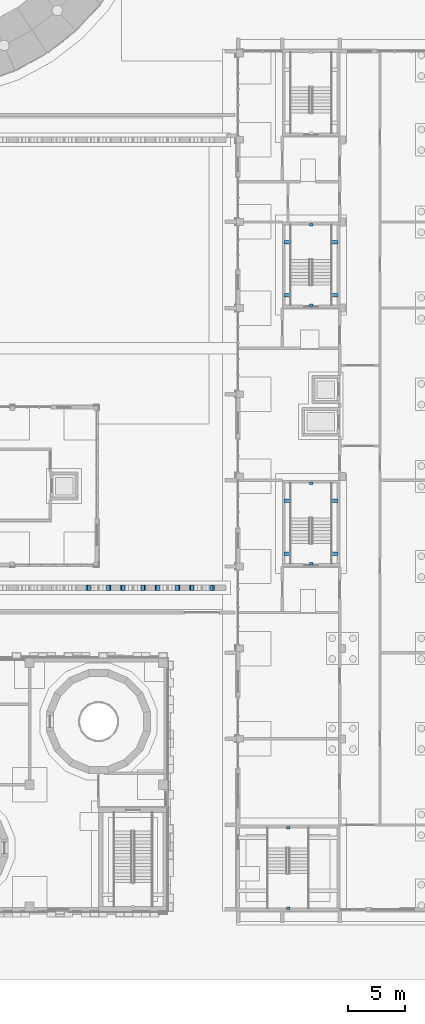
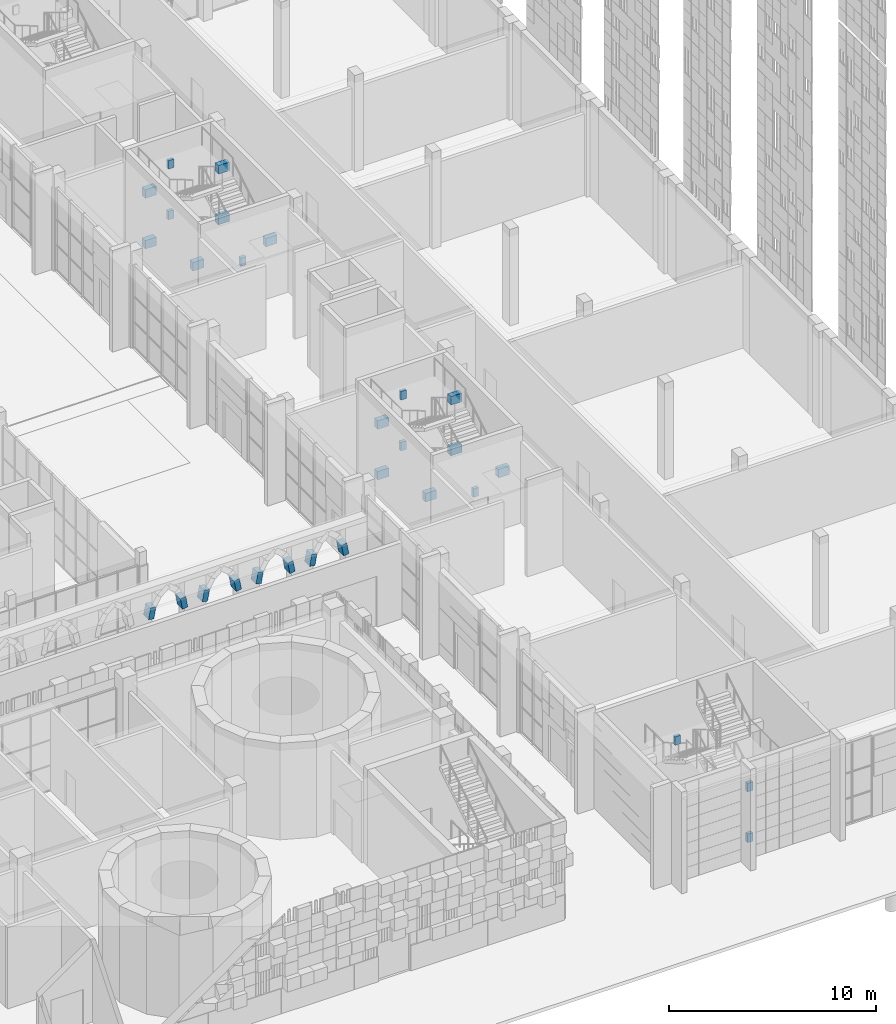
# One storey, part 38 of 125: 21 beams, 8 members.
"""IFC4 building model written with IfcOpenShell, lengths in metres."""

from ifc_helpers import new_model, si_unit, direction, frame, origin, origin_2d, place, context, subcontext, project, spatial, rectangle, extrude, material, material_profile, profile_set, type_object, element, save


model = new_model("IFC4")

# Units and contexts
model_context = context("Model", 3, precision=1e-05, world=origin(), true_north=direction((0.0, 1.0)))
body_context = subcontext(model_context, "Body", "Model", "MODEL_VIEW")
ifc_project = project(units=[si_unit("LENGTHUNIT", "METRE"), si_unit("AREAUNIT", "SQUARE_METRE"), si_unit("VOLUMEUNIT", "CUBIC_METRE"), si_unit("PLANEANGLEUNIT", "RADIAN"), si_unit("MASSUNIT", "GRAM", prefix="KILO")], contexts=[model_context])

# Site, building, storey
site_placement = place(None, origin())
site = spatial("IfcSite", under=ifc_project, at=site_placement, CompositionType="ELEMENT")
building_placement = place(site_placement, origin())
building = spatial("IfcBuilding", under=site, at=building_placement, Name="Sun Court Science Centre", CompositionType="ELEMENT")
storey_placement = place(building_placement, origin())
storey = spatial("IfcBuildingStorey", under=building, at=storey_placement, Name="L00", CompositionType="ELEMENT", Elevation=0.0)

# Members
ifc_material_1 = material(Name="Concrete C30/37", Category="concrete")
ifc_material_profile_1 = material_profile(ifc_material_1, rectangle(XDim=0.5, YDim=0.300048828125, at=origin_2d()), Name="RC 500x300")
ifc_profile_set_1 = profile_set([ifc_material_profile_1], Name="Concrete C30/37")
member_type = type_object("IfcMemberType", Name="Arcade arch rib RC 500x300", PredefinedType="MEMBER", material=ifc_profile_set_1)
for number, where, z_axis, x_axis, name in (
    (1, (65.050048828125, 34.14990234375, 3.22998046875), (0.173510961296, 0.0, 0.984831938104), (0.0, 1.0, 0.0), "Arcade arch rib AR1 bay 14"),
    (2, (66.949951171875, 34.14990234375, 3.22998046875), (-0.173510961296, 0.0, 0.984831938104), (0.0, -1.0, 0.0), "Arcade arch rib AR1 bay 14"),
    (3, (68.050048828125, 34.14990234375, 3.22998046875), (0.173510961296, 0.0, 0.984831938104), (0.0, 1.0, 0.0), "Arcade arch rib AR1 bay 15"),
    (4, (69.949951171875, 34.14990234375, 3.22998046875), (-0.173510961296, 0.0, 0.984831938104), (0.0, -1.0, 0.0), "Arcade arch rib AR1 bay 15"),
    (5, (71.050048828125, 34.14990234375, 3.22998046875), (0.173510961296, 0.0, 0.984831938104), (0.0, 1.0, 0.0), "Arcade arch rib AR1 bay 16"),
    (6, (72.949951171875, 34.14990234375, 3.22998046875), (-0.173510961296, 0.0, 0.984831938104), (0.0, -1.0, 0.0), "Arcade arch rib AR1 bay 16"),
    (7, (74.050048828125, 34.14990234375, 3.22998046875), (0.173510961296, 0.0, 0.984831938104), (0.0, 1.0, 0.0), "Arcade arch rib AR1 bay 17"),
    (8, (75.949951171875, 34.14990234375, 3.22998046875), (-0.173510961296, 0.0, 0.984831938104), (0.0, -1.0, 0.0), "Arcade arch rib AR1 bay 17"),
):
    element("IfcMember", number, at=place(storey_placement, frame(where, z_axis=z_axis, x_axis=x_axis)), inside=storey, type_object=member_type, Name=name, PredefinedType="MEMBER", context=body_context, shape_type="SweptSolid", body=[
        extrude(rectangle(XDim=0.5, YDim=0.300048828125, at=origin_2d()), origin(), (0.0, 0.0, 1.0), 0.659912109375),
    ])

# Beams
ifc_material_2 = material(Name="Concrete C25/30", Category="concrete")
ifc_material_profile_2 = material_profile(ifc_material_2, rectangle(XDim=0.300048828125, YDim=0.5, at=origin_2d()), Name="RC 300x500")
ifc_profile_set_2 = profile_set([ifc_material_profile_2], Name="Concrete C25/30")
beam_type = type_object("IfcBeamType", Name="RC landing trimmer 300x500", PredefinedType="BEAM", material=ifc_profile_set_2)
for number, where, z_axis, x_axis, name in (
    (9, (82.5, 6.14990234375, 1.050048828125), (0.0, 1.0, 0.0), (-1.0, 0.0, 0.0), "SL1 landing 1 trimmer beam 3"),
    (10, (82.5, 13.35009765625, 2.550048828125), (0.0, -1.0, 0.0), (1.0, 0.0, 0.0), "SL1 landing 2 trimmer beam 6"),
    (11, (82.5, 6.14990234375, 4.050048828125), (0.0, 1.0, 0.0), (-1.0, 0.0, 0.0), "SL1 landing 3 trimmer beam 9"),
):
    element("IfcBeam", number, at=place(storey_placement, frame(where, z_axis=z_axis, x_axis=x_axis)), inside=storey, type_object=beam_type, Name=name, PredefinedType="BEAM", context=body_context, shape_type="SweptSolid", body=[
        extrude(rectangle(XDim=0.300048828125, YDim=0.5, at=origin_2d()), origin(), (0.0, 0.0, 1.0), 0.190185546875),
    ])
for number, where, z_axis, x_axis, name in (
    (12, (86.85009765625, 41.743896484375, 1.050048828125), (-1.0, 0.0, 0.0), (0.0, -1.0, 0.0), "SL2 landing 1 trimmer beam 1"),
    (13, (82.14990234375, 41.743896484375, 1.050048828125), (1.0, 0.0, 0.0), (0.0, 1.0, 0.0), "SL2 landing 1 trimmer beam 2"),
):
    element("IfcBeam", number, at=place(storey_placement, frame(where, z_axis=z_axis, x_axis=x_axis)), inside=storey, type_object=beam_type, Name=name, PredefinedType="BEAM", context=body_context, shape_type="SweptSolid", body=[
        extrude(rectangle(XDim=0.300048828125, YDim=0.5, at=origin_2d()), origin(), (0.0, 0.0, 1.0), 0.6171875),
    ])
beam_1_placement = place(storey_placement, frame((84.5, 43.35009765625, 1.050048828125), z_axis=(0.0, -1.0, 0.0), x_axis=(1.0, 0.0, 0.0)))
element("IfcBeam", 14, at=beam_1_placement, inside=storey, type_object=beam_type, Name="SL2 landing 1 trimmer beam 3", PredefinedType="BEAM", context=body_context, shape_type="SweptSolid", body=[
    extrude(rectangle(XDim=0.300048828125, YDim=0.5, at=origin_2d()), origin(), (0.0, 0.0, 1.0), 0.190185546875),
])
for number, where, z_axis, x_axis, name in (
    (15, (86.85009765625, 37.1240234375, 2.550048828125), (-1.0, 0.0, 0.0), (0.0, -1.0, 0.0), "SL2 landing 2 trimmer beam 4"),
    (16, (82.14990234375, 37.1240234375, 2.550048828125), (1.0, 0.0, 0.0), (0.0, 1.0, 0.0), "SL2 landing 2 trimmer beam 5"),
):
    element("IfcBeam", number, at=place(storey_placement, frame(where, z_axis=z_axis, x_axis=x_axis)), inside=storey, type_object=beam_type, Name=name, PredefinedType="BEAM", context=body_context, shape_type="SweptSolid", body=[
        extrude(rectangle(XDim=0.300048828125, YDim=0.5, at=origin_2d()), origin(), (0.0, 0.0, 1.0), 0.6171875),
    ])
beam_2_placement = place(storey_placement, frame((84.5, 36.14990234375, 2.550048828125), z_axis=(0.0, 1.0, 0.0), x_axis=(-1.0, 0.0, 0.0)))
element("IfcBeam", 17, at=beam_2_placement, inside=storey, type_object=beam_type, Name="SL2 landing 2 trimmer beam 6", PredefinedType="BEAM", context=body_context, shape_type="SweptSolid", body=[
    extrude(rectangle(XDim=0.300048828125, YDim=0.5, at=origin_2d()), origin(), (0.0, 0.0, 1.0), 0.190185546875),
])
for number, where, z_axis, x_axis, name in (
    (18, (86.85009765625, 41.743896484375, 4.050048828125), (-1.0, 0.0, 0.0), (0.0, -1.0, 0.0), "SL2 landing 3 trimmer beam 7"),
    (19, (82.14990234375, 41.743896484375, 4.050048828125), (1.0, 0.0, 0.0), (0.0, 1.0, 0.0), "SL2 landing 3 trimmer beam 8"),
):
    element("IfcBeam", number, at=place(storey_placement, frame(where, z_axis=z_axis, x_axis=x_axis)), inside=storey, type_object=beam_type, Name=name, PredefinedType="BEAM", context=body_context, shape_type="SweptSolid", body=[
        extrude(rectangle(XDim=0.300048828125, YDim=0.5, at=origin_2d()), origin(), (0.0, 0.0, 1.0), 0.6171875),
    ])
beam_3_placement = place(storey_placement, frame((84.5, 43.35009765625, 4.050048828125), z_axis=(0.0, -1.0, 0.0), x_axis=(1.0, 0.0, 0.0)))
element("IfcBeam", 20, at=beam_3_placement, inside=storey, type_object=beam_type, Name="SL2 landing 3 trimmer beam 9", PredefinedType="BEAM", context=body_context, shape_type="SweptSolid", body=[
    extrude(rectangle(XDim=0.300048828125, YDim=0.5, at=origin_2d()), origin(), (0.0, 0.0, 1.0), 0.190185546875),
])
for number, where, z_axis, x_axis, name in (
    (21, (86.85009765625, 64.243896484375, 1.050048828125), (-1.0, 0.0, 0.0), (0.0, -1.0, 0.0), "SL3 landing 1 trimmer beam 1"),
    (22, (82.14990234375, 64.243896484375, 1.050048828125), (1.0, 0.0, 0.0), (0.0, 1.0, 0.0), "SL3 landing 1 trimmer beam 2"),
):
    element("IfcBeam", number, at=place(storey_placement, frame(where, z_axis=z_axis, x_axis=x_axis)), inside=storey, type_object=beam_type, Name=name, PredefinedType="BEAM", context=body_context, shape_type="SweptSolid", body=[
        extrude(rectangle(XDim=0.300048828125, YDim=0.5, at=origin_2d()), origin(), (0.0, 0.0, 1.0), 0.6171875),
    ])
beam_4_placement = place(storey_placement, frame((84.5, 65.85009765625, 1.050048828125), z_axis=(0.0, -1.0, 0.0), x_axis=(1.0, 0.0, 0.0)))
element("IfcBeam", 23, at=beam_4_placement, inside=storey, type_object=beam_type, Name="SL3 landing 1 trimmer beam 3", PredefinedType="BEAM", context=body_context, shape_type="SweptSolid", body=[
    extrude(rectangle(XDim=0.300048828125, YDim=0.5, at=origin_2d()), origin(), (0.0, 0.0, 1.0), 0.190185546875),
])
for number, where, z_axis, x_axis, name in (
    (24, (86.85009765625, 59.6240234375, 2.550048828125), (-1.0, 0.0, 0.0), (0.0, -1.0, 0.0), "SL3 landing 2 trimmer beam 4"),
    (25, (82.14990234375, 59.6240234375, 2.550048828125), (1.0, 0.0, 0.0), (0.0, 1.0, 0.0), "SL3 landing 2 trimmer beam 5"),
):
    element("IfcBeam", number, at=place(storey_placement, frame(where, z_axis=z_axis, x_axis=x_axis)), inside=storey, type_object=beam_type, Name=name, PredefinedType="BEAM", context=body_context, shape_type="SweptSolid", body=[
        extrude(rectangle(XDim=0.300048828125, YDim=0.5, at=origin_2d()), origin(), (0.0, 0.0, 1.0), 0.6171875),
    ])
beam_5_placement = place(storey_placement, frame((84.5, 58.64990234375, 2.550048828125), z_axis=(0.0, 1.0, 0.0), x_axis=(-1.0, 0.0, 0.0)))
element("IfcBeam", 26, at=beam_5_placement, inside=storey, type_object=beam_type, Name="SL3 landing 2 trimmer beam 6", PredefinedType="BEAM", context=body_context, shape_type="SweptSolid", body=[
    extrude(rectangle(XDim=0.300048828125, YDim=0.5, at=origin_2d()), origin(), (0.0, 0.0, 1.0), 0.190185546875),
])
for number, where, z_axis, x_axis, name in (
    (27, (86.85009765625, 64.243896484375, 4.050048828125), (-1.0, 0.0, 0.0), (0.0, -1.0, 0.0), "SL3 landing 3 trimmer beam 7"),
    (28, (82.14990234375, 64.243896484375, 4.050048828125), (1.0, 0.0, 0.0), (0.0, 1.0, 0.0), "SL3 landing 3 trimmer beam 8"),
):
    element("IfcBeam", number, at=place(storey_placement, frame(where, z_axis=z_axis, x_axis=x_axis)), inside=storey, type_object=beam_type, Name=name, PredefinedType="BEAM", context=body_context, shape_type="SweptSolid", body=[
        extrude(rectangle(XDim=0.300048828125, YDim=0.5, at=origin_2d()), origin(), (0.0, 0.0, 1.0), 0.6171875),
    ])
beam_6_placement = place(storey_placement, frame((84.5, 65.85009765625, 4.050048828125), z_axis=(0.0, -1.0, 0.0), x_axis=(1.0, 0.0, 0.0)))
element("IfcBeam", 29, at=beam_6_placement, inside=storey, type_object=beam_type, Name="SL3 landing 3 trimmer beam 9", PredefinedType="BEAM", context=body_context, shape_type="SweptSolid", body=[
    extrude(rectangle(XDim=0.300048828125, YDim=0.5, at=origin_2d()), origin(), (0.0, 0.0, 1.0), 0.190185546875),
])

save(model, "model.ifc")
